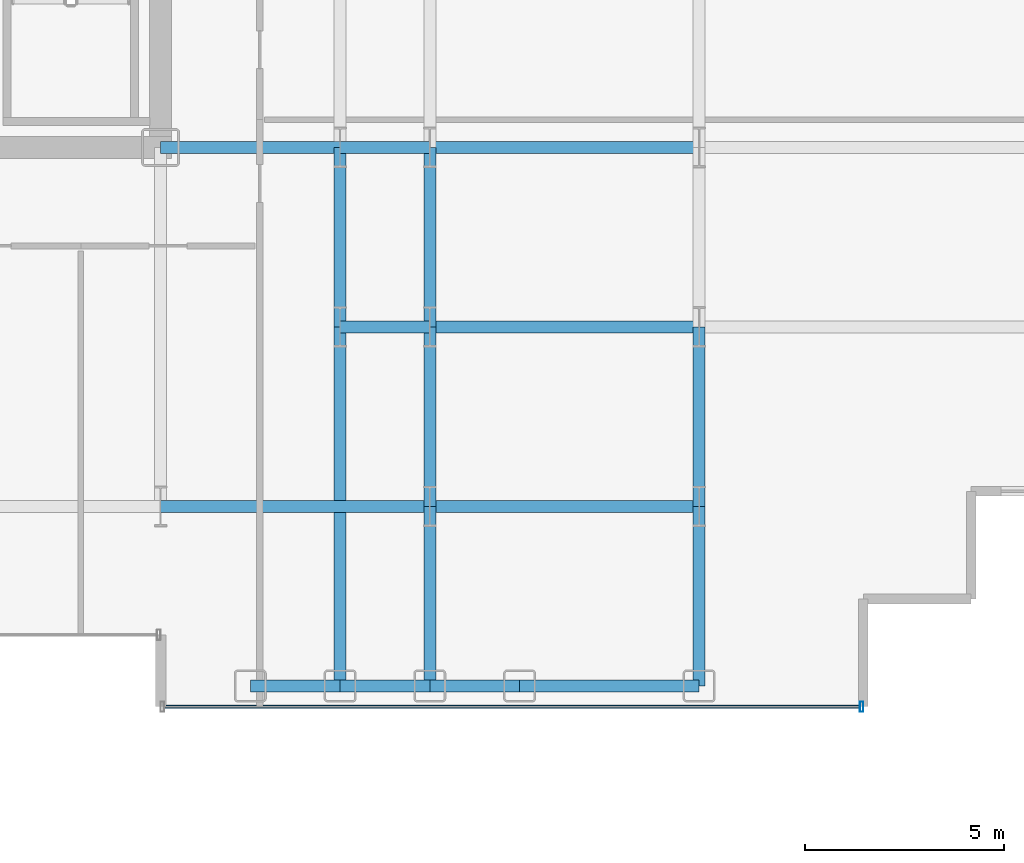
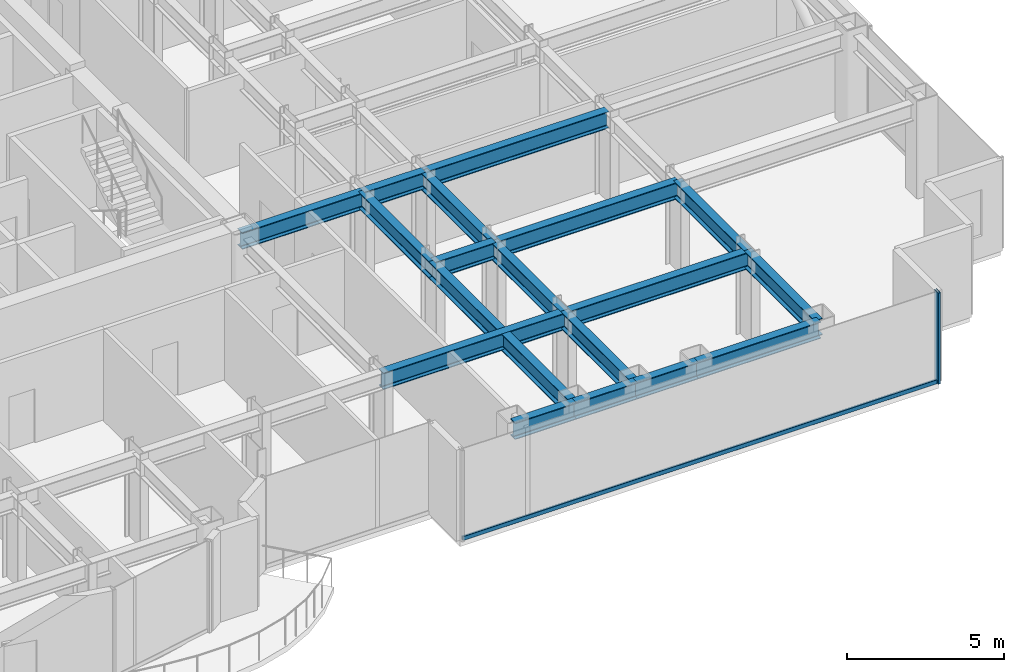
# One storey, part 9 of 29: 18 beams, 2 members, 1 element without a shape of its own.
"""IFC4 building model written with IfcOpenShell, lengths in metres."""

from ifc_helpers import new_model, si_unit, direction, frame, origin, origin_2d, place, context, subcontext, project, spatial, hollow_rectangle, i_section, extrude, source, transform, mapped, material, layer, layer_set, material_profile, profile_set, type_object, element, aggregate, save


model = new_model("IFC4")

# Units and contexts
model_context = context("Model", 3, precision=1e-05, world=origin(), true_north=direction((0.0, 1.0)))
body_context = subcontext(model_context, "Body", "Model", "MODEL_VIEW")
ifc_project = project(units=[si_unit("LENGTHUNIT", "METRE"), si_unit("AREAUNIT", "SQUARE_METRE"), si_unit("VOLUMEUNIT", "CUBIC_METRE"), si_unit("PLANEANGLEUNIT", "RADIAN"), si_unit("MASSUNIT", "GRAM", prefix="KILO")], contexts=[model_context])

# Site, building, storey
site_placement = place(None, origin())
site = spatial("IfcSite", under=ifc_project, at=site_placement, CompositionType="ELEMENT")
building_placement = place(site_placement, origin())
building = spatial("IfcBuilding", under=site, at=building_placement, Name="Nefas-Gora Pilgrimage Tower", CompositionType="ELEMENT")
storey_placement = place(building_placement, frame((0.0, 0.0, 125.0)))
storey = spatial("IfcBuildingStorey", under=building, at=storey_placement, Name="L30", CompositionType="ELEMENT", Elevation=125.0)

# Beams
ifc_material_1 = material(Name="Steel S355", Category="steel")
ifc_material_profile_1 = material_profile(ifc_material_1, i_section(OverallWidth=0.300048828125, OverallDepth=0.64990234375, WebThickness=0.01611328125, FlangeThickness=0.031005859375, FilletRadius=0.027099609375, at=origin_2d()), Name="HEB 650")
ifc_profile_set_1 = profile_set([ifc_material_profile_1], Name="Steel S355")
beam_type_1 = type_object("IfcBeamType", Name="BM-SPN-HEB500", PredefinedType="SPANDREL", material=ifc_profile_set_1)
shared_shape_1 = source(origin(), body_context, "Body", "SweptSolid", [
    extrude(i_section(OverallWidth=0.300048828125, OverallDepth=0.64990234375, WebThickness=0.01611328125, FlangeThickness=0.031005859375, FilletRadius=0.027099609375, at=origin_2d()), origin(), (0.0, 0.0, 1.0), 4.5),
])
beam_1_placement = place(storey_placement, frame((20.25, -22.5, 3.22509765625), z_axis=(1.0, 0.0, 0.0), x_axis=(0.0, 1.0, 0.0)))
element("IfcBeam", 1, at=beam_1_placement, inside=storey, type_object=beam_type_1, Name="L30 SP-02 beam", PredefinedType="SPANDREL", context=body_context, shape_type="MappedRepresentation", body=[
    mapped(shared_shape_1, transform((0.0, 0.0, 0.0), x_axis=(1.0, 0.0, 0.0), y_axis=(0.0, 1.0, 0.0), z_axis=(0.0, 0.0, 1.0), scale=1.0)),
])
ifc_material_profile_2 = material_profile(ifc_material_1, i_section(OverallWidth=0.300048828125, OverallDepth=0.64990234375, WebThickness=0.01611328125, FlangeThickness=0.031005859375, FilletRadius=0.027099609375, at=origin_2d()), Name="HEB 650")
ifc_profile_set_2 = profile_set([ifc_material_profile_2], Name="Steel S355")
beam_type_2 = type_object("IfcBeamType", Name="BM-GIR-HEB650", PredefinedType="BEAM", material=ifc_profile_set_2)
shared_shape_2 = source(origin(), body_context, "Body", "SweptSolid", [
    extrude(i_section(OverallWidth=0.300048828125, OverallDepth=0.64990234375, WebThickness=0.01611328125, FlangeThickness=0.031005859375, FilletRadius=0.027099609375, at=origin_2d()), origin(), (0.0, 0.0, 1.0), 9.0),
])
beam_2_placement = place(storey_placement, frame((15.75, -22.5, 3.22509765625), z_axis=(0.0, 1.0, 0.0), x_axis=(-1.0, 0.0, 0.0)))
element("IfcBeam", 2, at=beam_2_placement, inside=storey, type_object=beam_type_2, Name="L30 G-03 beam", PredefinedType="BEAM", context=body_context, shape_type="MappedRepresentation", body=[
    mapped(shared_shape_2, transform((0.0, 0.0, 0.0), x_axis=(1.0, 0.0, 0.0), y_axis=(0.0, 1.0, 0.0), z_axis=(0.0, 0.0, 1.0), scale=1.0)),
])
shared_shape_3 = source(origin(), body_context, "Body", "SweptSolid", [
    extrude(i_section(OverallWidth=0.300048828125, OverallDepth=0.64990234375, WebThickness=0.01611328125, FlangeThickness=0.031005859375, FilletRadius=0.027099609375, at=origin_2d()), origin(), (0.0, 0.0, 1.0), 4.5),
])
for number, where, z_axis, x_axis, name in (
    (3, (11.25, -9.0, 3.22509765625), (1.0, 0.0, 0.0), (0.0, 1.0, 0.0), "L30 G-03 beam"),
    (4, (15.75, -13.5, 3.22509765625), (0.0, 1.0, 0.0), (-1.0, 0.0, 0.0), "L30 G-03 beam"),
    (5, (18.0, -22.5, 3.22509765625), (0.0, 1.0, 0.0), (-1.0, 0.0, 0.0), "L30 G-03 beam"),
    (6, (18.0, -18.0, 3.22509765625), (0.0, 1.0, 0.0), (-1.0, 0.0, 0.0), "L30 G-03 beam"),
    (7, (18.0, -13.5, 3.22509765625), (0.0, 1.0, 0.0), (-1.0, 0.0, 0.0), "L30 G-03 beam"),
    (8, (24.75, -22.5, 3.22509765625), (0.0, 1.0, 0.0), (-1.0, 0.0, 0.0), "L30 G-03 beam"),
    (9, (24.75, -18.0, 3.22509765625), (0.0, 1.0, 0.0), (-1.0, 0.0, 0.0), "L30 G-03 beam"),
):
    element("IfcBeam", number, at=place(storey_placement, frame(where, z_axis=z_axis, x_axis=x_axis)), inside=storey, type_object=beam_type_2, Name=name, PredefinedType="BEAM", context=body_context, shape_type="MappedRepresentation", body=[
        mapped(shared_shape_3, transform((0.0, 0.0, 0.0), x_axis=(1.0, 0.0, 0.0), y_axis=(0.0, 1.0, 0.0), z_axis=(0.0, 0.0, 1.0), scale=1.0)),
    ])
shared_shape_4 = source(origin(), body_context, "Body", "SweptSolid", [
    extrude(i_section(OverallWidth=0.300048828125, OverallDepth=0.64990234375, WebThickness=0.01611328125, FlangeThickness=0.031005859375, FilletRadius=0.027099609375, at=origin_2d()), origin(), (0.0, 0.0, 1.0), 6.75),
])
for number, where, z_axis, x_axis, name in (
    (10, (11.25, -18.0, 3.22509765625), (1.0, 0.0, 0.0), (0.0, 1.0, 0.0), "L30 G-03 beam"),
    (11, (18.0, -18.0, 3.22509765625), (1.0, 0.0, 0.0), (0.0, 1.0, 0.0), "L30 G-03 beam"),
    (12, (18.0, -13.5, 3.22509765625), (1.0, 0.0, 0.0), (0.0, 1.0, 0.0), "L30 G-03 beam"),
    (13, (18.0, -9.0, 3.22509765625), (1.0, 0.0, 0.0), (0.0, 1.0, 0.0), "L30 G-03 beam"),
):
    element("IfcBeam", number, at=place(storey_placement, frame(where, z_axis=z_axis, x_axis=x_axis)), inside=storey, type_object=beam_type_2, Name=name, PredefinedType="BEAM", context=body_context, shape_type="MappedRepresentation", body=[
        mapped(shared_shape_4, transform((0.0, 0.0, 0.0), x_axis=(1.0, 0.0, 0.0), y_axis=(0.0, 1.0, 0.0), z_axis=(0.0, 0.0, 1.0), scale=1.0)),
    ])
shared_shape_5 = source(origin(), body_context, "Body", "SweptSolid", [
    extrude(i_section(OverallWidth=0.300048828125, OverallDepth=0.64990234375, WebThickness=0.01611328125, FlangeThickness=0.031005859375, FilletRadius=0.027099609375, at=origin_2d()), origin(), (0.0, 0.0, 1.0), 2.25),
])
for number, where, z_axis, x_axis, name in (
    (14, (13.5, -22.5, 3.22509765625), (1.0, 0.0, 0.0), (0.0, 1.0, 0.0), "L30 SP-02 beam"),
    (15, (15.75, -22.5, 3.22509765625), (1.0, 0.0, 0.0), (0.0, 1.0, 0.0), "L30 SP-02 beam"),
    (16, (18.0, -22.5, 3.22509765625), (1.0, 0.0, 0.0), (0.0, 1.0, 0.0), "L30 SP-02 beam"),
):
    element("IfcBeam", number, at=place(storey_placement, frame(where, z_axis=z_axis, x_axis=x_axis)), inside=storey, type_object=beam_type_1, Name=name, PredefinedType="SPANDREL", context=body_context, shape_type="MappedRepresentation", body=[
        mapped(shared_shape_5, transform((0.0, 0.0, 0.0), x_axis=(1.0, 0.0, 0.0), y_axis=(0.0, 1.0, 0.0), z_axis=(0.0, 0.0, 1.0), scale=1.0)),
    ])
shared_shape_6 = source(origin(), body_context, "Body", "SweptSolid", [
    extrude(i_section(OverallWidth=0.300048828125, OverallDepth=0.64990234375, WebThickness=0.01611328125, FlangeThickness=0.031005859375, FilletRadius=0.027099609375, at=origin_2d()), origin(), (0.0, 0.0, 1.0), 2.25),
])
for number, where, z_axis, x_axis, name in (
    (17, (15.75, -13.5, 3.22509765625), (1.0, 0.0, 0.0), (0.0, 1.0, 0.0), "L30 G-03 beam"),
    (18, (15.75, -9.0, 3.22509765625), (1.0, 0.0, 0.0), (0.0, 1.0, 0.0), "L30 G-03 beam"),
):
    element("IfcBeam", number, at=place(storey_placement, frame(where, z_axis=z_axis, x_axis=x_axis)), inside=storey, type_object=beam_type_2, Name=name, PredefinedType="BEAM", context=body_context, shape_type="MappedRepresentation", body=[
        mapped(shared_shape_6, transform((0.0, 0.0, 0.0), x_axis=(1.0, 0.0, 0.0), y_axis=(0.0, 1.0, 0.0), z_axis=(0.0, 0.0, 1.0), scale=1.0)),
    ])

# Curtain wall, members
ifc_material_2 = material(Name="Dark ceramic-fritted solar-control aluminium-glass curtain wall", Category="aluminium")
ifc_layer = layer(ifc_material_2, 0.219970703125)
ifc_layer_set = layer_set([ifc_layer], Name="Dark ceramic-fritted solar-control aluminium-glass curtain wall")
curtain_wall_type = type_object("IfcCurtainWallType", Name="CW-SYS-2", PredefinedType="NOTDEFINED", material=ifc_layer_set)
curtain_wall_placement = place(storey_placement, origin())
curtain_wall = element("IfcCurtainWall", 19, at=curtain_wall_placement, inside=storey, type_object=curtain_wall_type, Name="L30 Unitised Curtain Wall CW2", PredefinedType="NOTDEFINED")
ifc_material_3 = material(Name="Anodised architectural aluminium", Category="aluminium")
ifc_material_profile_3 = material_profile(ifc_material_3, hollow_rectangle(XDim=0.090087890625, YDim=0.260009765625, WallThickness=0.006103515625, InnerFilletRadius=0.006103515625, OuterFilletRadius=0.011962890625, at=origin_2d()), Name="ALU MULLION 90x260")
ifc_profile_set_3 = profile_set([ifc_material_profile_3], Name="Anodised architectural aluminium")
member_type_1 = type_object("IfcMemberType", Name="CWM-MUL-2", PredefinedType="MULLION", material=ifc_profile_set_3)
shared_shape_7 = source(origin(), body_context, "Body", "SweptSolid", [
    extrude(hollow_rectangle(XDim=0.090087890625, YDim=0.260009765625, WallThickness=0.006103515625, InnerFilletRadius=0.006103515625, OuterFilletRadius=0.011962890625, at=origin_2d()), origin(), (0.0, 0.0, 1.0), 3.550048828125),
])
member_1_placement = place(storey_placement, frame((28.824951171875, -23.02001953125, 0.0), z_axis=(0.0, 0.0, 1.0), x_axis=(1.0, 0.0, 0.0)))
member_1 = element("IfcMember", 20, at=member_1_placement, type_object=member_type_1, Name="CW2 Mullion 2", PredefinedType="MULLION", context=body_context, shape_type="MappedRepresentation", body=[
    mapped(shared_shape_7, transform((0.0, 0.0, 0.0), x_axis=(1.0, 0.0, 0.0), y_axis=(0.0, 1.0, 0.0), z_axis=(0.0, 0.0, 1.0), scale=1.0)),
])
ifc_material_profile_4 = material_profile(ifc_material_3, hollow_rectangle(XDim=0.080078125, YDim=0.159912109375, WallThickness=0.00439453125, InnerFilletRadius=0.00439453125, OuterFilletRadius=0.009033203125, at=origin_2d()), Name="ALU TRANSOM 80x160")
ifc_profile_set_4 = profile_set([ifc_material_profile_4], Name="Anodised architectural aluminium")
member_type_2 = type_object("IfcMemberType", Name="CWM-TRN-2", PredefinedType="USERDEFINED", material=ifc_profile_set_4)
shared_shape_8 = source(origin(), body_context, "Body", "SweptSolid", [
    extrude(hollow_rectangle(XDim=0.080078125, YDim=0.159912109375, WallThickness=0.00439453125, InnerFilletRadius=0.00439453125, OuterFilletRadius=0.009033203125, at=origin_2d()), origin(), (0.0, 0.0, 1.0), 17.43994140625),
])
member_2_placement = place(storey_placement, frame((11.340087890625, -23.02001953125, 0.050048828125), z_axis=(1.0, 0.0, 0.0), x_axis=(0.0, 1.0, 0.0)))
member_2 = element("IfcMember", 21, at=member_2_placement, type_object=member_type_2, Name="CW2 Spandrel Transom", ObjectType="TRANSOM", PredefinedType="USERDEFINED", context=body_context, shape_type="MappedRepresentation", body=[
    mapped(shared_shape_8, transform((0.0, 0.0, 0.0), x_axis=(1.0, 0.0, 0.0), y_axis=(0.0, 1.0, 0.0), z_axis=(0.0, 0.0, 1.0), scale=1.0)),
])
aggregate(curtain_wall, [member_1, member_2])

save(model, "model.ifc")
